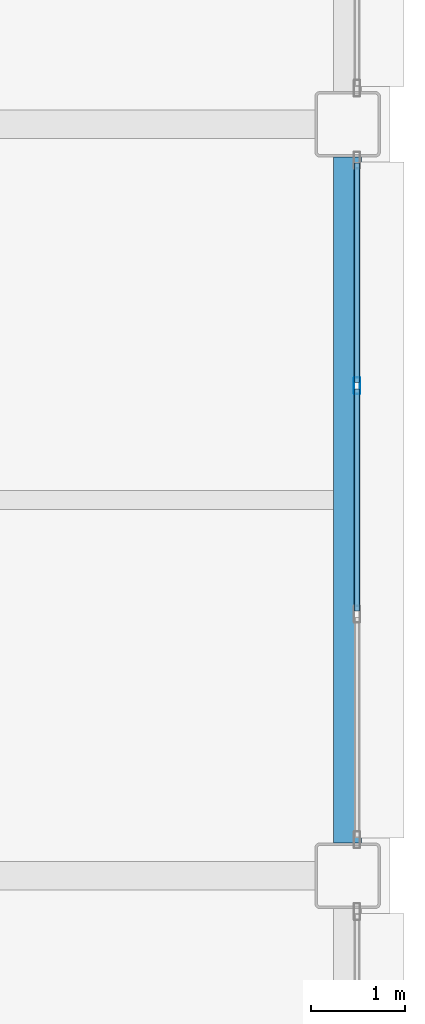
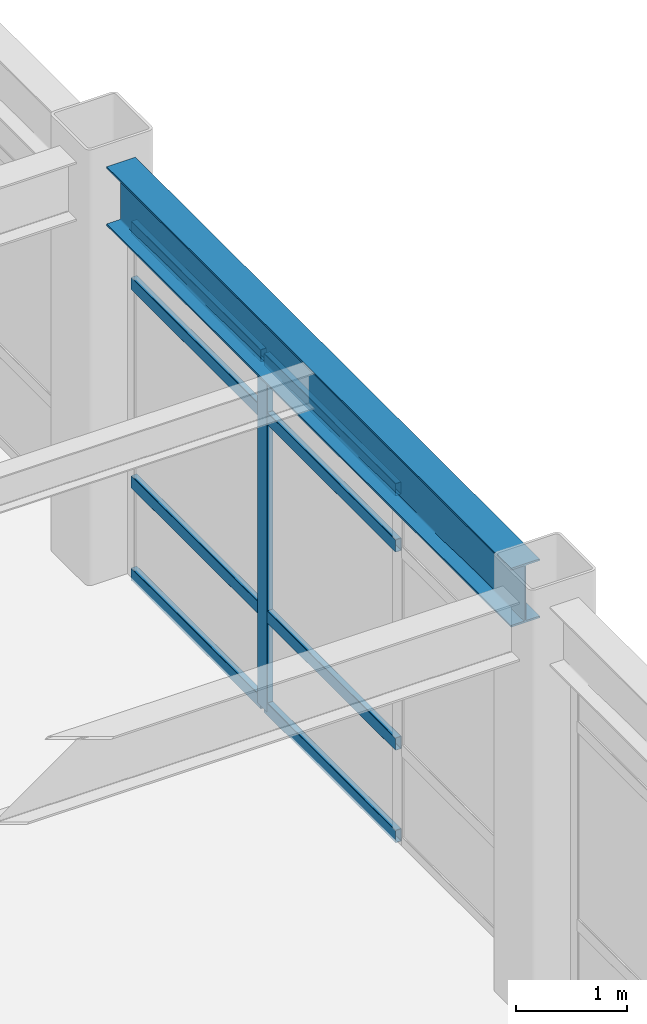
# One storey, part 106 of 154: 9 members, 1 beam, 1 element without a shape of its own.
"""IFC4 building model written with IfcOpenShell, lengths in metres."""

import ifcopenshell
import ifcopenshell.guid

model = None  # the IFC model being written
_history = None  # IfcOwnerHistory: only IFC2X3 demands one
_inside = {}  # id of a spatial element -> (the spatial element, [elements in it])
_under = {}  # id of a project, library or spatial element -> (it, [spatial elements below it])
_declared = {}  # id of a project -> (the project, [libraries it declares])
_typed = {}  # id of a type object -> (the type object, [elements of that type])
_made_of = {}  # id of a material, layer set ... -> (it, [elements and type objects made of it])


def new_model(schema):
    """Start an empty IFC model of exactly this schema.

    Asked for "IFC4X3", IfcOpenShell would pick the latest addendum, in which some entities
    have other attributes; the version numbers below select the first issue.
    IFC2X3 requires an IfcOwnerHistory on every rooted entity: one is made here for all.
    """
    global model, _history
    if schema == "IFC4X3":
        model = ifcopenshell.file(schema_version=(4, 3, 0, 0))
    else:
        model = ifcopenshell.file(schema=schema)
    _inside.clear()
    _under.clear()
    _declared.clear()
    _typed.clear()
    _made_of.clear()
    _history = None
    if model.schema == "IFC2X3":
        org = make("IfcOrganization", Name="unknown")
        user = make(
            "IfcPersonAndOrganization",
            ThePerson=make("IfcPerson", FamilyName="unknown"),
            TheOrganization=org,
        )
        app = make(
            "IfcApplication",
            ApplicationDeveloper=org,
            Version="unknown",
            ApplicationFullName="unknown",
            ApplicationIdentifier="unknown",
        )
        _history = make(
            "IfcOwnerHistory",
            OwningUser=user,
            OwningApplication=app,
            ChangeAction="ADDED",
            CreationDate=0,
        )
    return model


def make(cls, **values):
    """One entity of the class cls with the attributes given. An attribute that is None is left unset."""
    return model.create_entity(
        cls, **{name: value for name, value in values.items() if value is not None}
    )


def rooted(cls, **values):
    """An entity with a GlobalId (a new one), such as an element, a storey or a relation."""
    return make(cls, GlobalId=ifcopenshell.guid.new(), OwnerHistory=_history, **values)


def si_unit(unit_type, name, prefix=None):
    """IfcSIUnit, for example si_unit("LENGTHUNIT", "METRE", prefix="MILLI")."""
    return make("IfcSIUnit", UnitType=unit_type, Prefix=prefix, Name=name)


def assignment(units):
    """IfcUnitAssignment: the units of a project."""
    return None if units is None else make("IfcUnitAssignment", Units=units)


def point(xyz):
    """IfcCartesianPoint."""
    return None if xyz is None else make("IfcCartesianPoint", Coordinates=xyz)


def direction(xyz):
    """IfcDirection."""
    return None if xyz is None else make("IfcDirection", DirectionRatios=xyz)


def frame(location, z_axis=None, x_axis=None):
    """IfcAxis2Placement3D, a coordinate frame: its origin and axes. An axis left out is left unset."""
    return make(
        "IfcAxis2Placement3D",
        Location=point(location),
        Axis=direction(z_axis),
        RefDirection=direction(x_axis),
    )


def frame_2d(location, x_axis=None):
    """IfcAxis2Placement2D, a coordinate frame in the plane: its origin and x axis."""
    return make(
        "IfcAxis2Placement2D", Location=point(location), RefDirection=direction(x_axis)
    )


def origin():
    """The frame at (0, 0, 0) with its axes left unset."""
    return frame((0.0, 0.0, 0.0))


def origin_2d():
    """The frame at (0, 0) in the plane with its x axis left unset."""
    return frame_2d((0.0, 0.0))


def place(relative_to, where):
    """IfcLocalPlacement: puts the frame where relative to a parent placement (None: the world)."""
    return make(
        "IfcLocalPlacement", PlacementRelTo=relative_to, RelativePlacement=where
    )


def context(
    kind, dimensions, precision=None, world=None, true_north=None, identifier=None
):
    """IfcGeometricRepresentationContext, for example the 3D "Model" context."""
    return make(
        "IfcGeometricRepresentationContext",
        ContextIdentifier=identifier,
        ContextType=kind,
        CoordinateSpaceDimension=dimensions,
        Precision=precision,
        WorldCoordinateSystem=world,
        TrueNorth=true_north,
    )


def subcontext(parent, identifier, kind, view, scale=None):
    """IfcGeometricRepresentationSubContext, for example "Body" below "Model"."""
    return make(
        "IfcGeometricRepresentationSubContext",
        ContextIdentifier=identifier,
        ContextType=kind,
        ParentContext=parent,
        TargetScale=scale,
        TargetView=view,
    )


def project(units=None, contexts=None):
    """IfcProject with its units and contexts."""
    return rooted(
        "IfcProject",
        Name="project",
        RepresentationContexts=contexts,
        UnitsInContext=assignment(units),
    )


def spatial(cls, under=None, at=None, **own):
    """A site, building, storey or space (cls), placed at a placement, below another one or the project."""
    s = rooted(cls, ObjectPlacement=at, **own)
    if under is not None:
        _under.setdefault(under.id(), (under, []))[1].append(s)
    return s


def profile(cls, at=None, kind="AREA", **sizes):
    """A parametric profile (cls). Its sizes go by their IFC names, for example OverallWidth=200.0."""
    return make(cls, ProfileType=kind, Position=at, **sizes)


def hollow_rectangle(**sizes):
    """IfcRectangleHollowProfileDef."""
    return profile("IfcRectangleHollowProfileDef", **sizes)


def i_section(**sizes):
    """IfcIShapeProfileDef."""
    return profile("IfcIShapeProfileDef", **sizes)


def extrude(swept, where, along, depth):
    """IfcExtrudedAreaSolid: the profile swept, set in the frame where, extruded along a direction by depth."""
    return make(
        "IfcExtrudedAreaSolid",
        SweptArea=swept,
        Position=where,
        ExtrudedDirection=direction(along),
        Depth=depth,
    )


def shape(context_of_items, identifier, shape_type, items):
    """IfcShapeRepresentation: the items that make up one representation, for example the "Body"."""
    return make(
        "IfcShapeRepresentation",
        ContextOfItems=context_of_items,
        RepresentationIdentifier=identifier,
        RepresentationType=shape_type,
        Items=items,
    )


def material(Name=None, Category=None):
    """IfcMaterial."""
    return make("IfcMaterial", Name=Name, Category=Category)


def layer(
    of_material, thickness, ventilated=None, Name=None, Category=None, Priority=None
):
    """IfcMaterialLayer: one layer of a wall or slab, of a material (None: an air gap)."""
    return make(
        "IfcMaterialLayer",
        Material=of_material,
        LayerThickness=thickness,
        IsVentilated=ventilated,
        Name=Name,
        Category=Category,
        Priority=Priority,
    )


def layer_set(layers, Name=None):
    """IfcMaterialLayerSet."""
    return make("IfcMaterialLayerSet", MaterialLayers=layers, LayerSetName=Name)


def material_profile(
    of_material, cross_section, Name=None, Category=None, Priority=None
):
    """IfcMaterialProfile: a cross section and its material."""
    return make(
        "IfcMaterialProfile",
        Name=Name,
        Material=of_material,
        Profile=cross_section,
        Priority=Priority,
        Category=Category,
    )


def profile_set(profiles, Name=None, composite=None):
    """IfcMaterialProfileSet."""
    return make(
        "IfcMaterialProfileSet",
        Name=Name,
        MaterialProfiles=profiles,
        CompositeProfile=composite,
    )


def made_of(thing, what):
    """Note that an element or type object is made of a material, layer set ...; save() writes the relation."""
    if what is not None:
        _made_of.setdefault(what.id(), (what, []))[1].append(thing)
    return thing


def type_object(cls, material=None, **own):
    """A type object (cls), such as IfcWallType, which elements share."""
    return made_of(rooted(cls, **own), material)


def element(
    cls,
    number,
    at=None,
    inside=None,
    cuts=None,
    type_object=None,
    material=None,
    context=None,
    identifier="Body",
    shape_type=None,
    held_by="IfcProductDefinitionShape",
    body=None,
    shapes=None,
    **own,
):
    """One element of the class cls, such as IfcWall. Its Tag is "e" and its number.

    at: its placement. inside: the storey or other place that contains it. cuts: it is an
    opening in that element (IfcRelVoidsElement). A single representation is given by context,
    identifier, shape_type and body (its items); several are given by shapes. held_by: the class
    of the entity that holds the representations. save() writes the other relations.
    """
    e = rooted(cls, Tag="e%d" % number, ObjectPlacement=at, **own)
    if body is not None:
        shapes = [shape(context, identifier, shape_type, body)]
    if shapes is not None:
        e.Representation = make(held_by, Representations=shapes)
    if inside is not None:
        _inside.setdefault(inside.id(), (inside, []))[1].append(e)
    if cuts is not None:
        rooted(
            "IfcRelVoidsElement", RelatingBuildingElement=cuts, RelatedOpeningElement=e
        )
    if type_object is not None:
        _typed.setdefault(type_object.id(), (type_object, []))[1].append(e)
    return made_of(e, material)


def aggregate(whole, parts):
    """IfcRelAggregates: a whole, such as a stair, and the parts it consists of."""
    return rooted("IfcRelAggregates", RelatingObject=whole, RelatedObjects=parts)


def save(model, path):
    """Write the relations noted so far, then the file.

    IfcRelAggregates (storeys below a building ...), IfcRelContainedInSpatialStructure (elements
    in a storey), IfcRelDefinesByType, IfcRelAssociatesMaterial and IfcRelDeclares: one each for
    every whole, place, type object, material and project.
    """
    for whole, parts in _under.values():
        aggregate(whole, parts)
    for where, things in _inside.values():
        rooted(
            "IfcRelContainedInSpatialStructure",
            RelatedElements=things,
            RelatingStructure=where,
        )
    for kind, things in _typed.values():
        rooted("IfcRelDefinesByType", RelatedObjects=things, RelatingType=kind)
    for what, things in _made_of.values():
        rooted("IfcRelAssociatesMaterial", RelatedObjects=things, RelatingMaterial=what)
    for by, libraries in _declared.values():
        rooted("IfcRelDeclares", RelatingContext=by, RelatedDefinitions=libraries)
    model.write(path)


model = new_model("IFC4")

# Units and contexts
model_context = context("Model", 3, precision=1e-05, world=origin(), true_north=direction((0.0, 1.0)))
body_context = subcontext(model_context, "Body", "Model", "MODEL_VIEW")
ifc_project = project(units=[si_unit("LENGTHUNIT", "METRE"), si_unit("AREAUNIT", "SQUARE_METRE"), si_unit("VOLUMEUNIT", "CUBIC_METRE"), si_unit("PLANEANGLEUNIT", "RADIAN"), si_unit("MASSUNIT", "GRAM", prefix="KILO")], contexts=[model_context])

# Site, building, storey
site_placement = place(None, origin())
site = spatial("IfcSite", under=ifc_project, at=site_placement, CompositionType="ELEMENT")
building_placement = place(site_placement, origin())
building = spatial("IfcBuilding", under=site, at=building_placement, Name="Kazehara Bluff Congress Hotel", CompositionType="ELEMENT")
storey_placement = place(building_placement, frame((0.0, 0.0, 10.199951171875)))
storey = spatial("IfcBuildingStorey", under=building, at=storey_placement, Name="L02", CompositionType="ELEMENT", Elevation=10.199951171875)

# Curtain wall, members
ifc_material_1 = material(Name="Anodised aluminium", Category="aluminium")
ifc_layer = layer(ifc_material_1, 0.159912109375)
ifc_layer_set = layer_set([ifc_layer], Name="Anodised aluminium")
curtain_wall_type = type_object("IfcCurtainWallType", Name="TP-CW-80", PredefinedType="NOTDEFINED", material=ifc_layer_set)
curtain_wall_placement = place(storey_placement, origin())
curtain_wall = element("IfcCurtainWall", 1, at=curtain_wall_placement, inside=storey, type_object=curtain_wall_type, Name="L02 curtain wall CW-80 CW-ENC-V5-L02-16765-9290", PredefinedType="NOTDEFINED")
ifc_material_2 = material(Name="Anodised aluminium", Category="aluminium")
ifc_material_profile_1 = material_profile(ifc_material_2, hollow_rectangle(XDim=0.06494140625, YDim=0.179931640625, WallThickness=0.00390625, InnerFilletRadius=0.00390625, OuterFilletRadius=0.008056640625, at=origin_2d()))
ifc_profile_set_1 = profile_set([ifc_material_profile_1], Name="Anodised aluminium")
member_type_1 = type_object("IfcMemberType", Name="TP-CWM-02", PredefinedType="MULLION", material=ifc_profile_set_1)
member_1_placement = place(storey_placement, frame((167.64990234375, 94.11669921875, 0.0), z_axis=(0.0, 0.0, 1.0), x_axis=(1.0, 0.0, 0.0)))
member_1 = element("IfcMember", 2, at=member_1_placement, type_object=member_type_1, Name="CW-80 mullion 2", PredefinedType="MULLION", context=body_context, shape_type="SweptSolid", body=[
    extrude(hollow_rectangle(XDim=0.06494140625, YDim=0.179931640625, WallThickness=0.00390625, InnerFilletRadius=0.00390625, OuterFilletRadius=0.008056640625, at=origin_2d()), origin(), (0.0, 0.0, 1.0), 3.885009765625),
])
ifc_material_3 = material(Name="Anodised aluminium", Category="aluminium")
ifc_material_profile_2 = material_profile(ifc_material_3, hollow_rectangle(XDim=0.06494140625, YDim=0.139892578125, WallThickness=0.00390625, InnerFilletRadius=0.00390625, OuterFilletRadius=0.008056640625, at=origin_2d()))
ifc_profile_set_2 = profile_set([ifc_material_profile_2], Name="Anodised aluminium")
member_type_2 = type_object("IfcMemberType", Name="TP-CWT-02", PredefinedType="USERDEFINED", material=ifc_profile_set_2)
member_2_placement = place(storey_placement, frame((167.64990234375, 96.485107421875, 0.032470703125), z_axis=(0.0, -1.0, 0.0), x_axis=(1.0, 0.0, 0.0)))
member_2 = element("IfcMember", 3, at=member_2_placement, type_object=member_type_2, Name="CW-80 transom 1.1", ObjectType="TRANSOM", PredefinedType="USERDEFINED", context=body_context, shape_type="SweptSolid", body=[
    extrude(hollow_rectangle(XDim=0.06494140625, YDim=0.139892578125, WallThickness=0.00390625, InnerFilletRadius=0.00390625, OuterFilletRadius=0.008056640625, at=origin_2d()), origin(), (0.0, 0.0, 1.0), 2.3359375),
])
member_3_placement = place(storey_placement, frame((167.64990234375, 96.485107421875, 1.050048828125), z_axis=(0.0, -1.0, 0.0), x_axis=(1.0, 0.0, 0.0)))
member_3 = element("IfcMember", 4, at=member_3_placement, type_object=member_type_2, Name="CW-80 transom 1.2", ObjectType="TRANSOM", PredefinedType="USERDEFINED", context=body_context, shape_type="SweptSolid", body=[
    extrude(hollow_rectangle(XDim=0.06494140625, YDim=0.139892578125, WallThickness=0.00390625, InnerFilletRadius=0.00390625, OuterFilletRadius=0.008056640625, at=origin_2d()), origin(), (0.0, 0.0, 1.0), 2.3359375),
])
member_4_placement = place(storey_placement, frame((167.64990234375, 96.485107421875, 3.235107421875), z_axis=(0.0, -1.0, 0.0), x_axis=(1.0, 0.0, 0.0)))
member_4 = element("IfcMember", 5, at=member_4_placement, type_object=member_type_2, Name="CW-80 transom 1.3", ObjectType="TRANSOM", PredefinedType="USERDEFINED", context=body_context, shape_type="SweptSolid", body=[
    extrude(hollow_rectangle(XDim=0.06494140625, YDim=0.139892578125, WallThickness=0.00390625, InnerFilletRadius=0.00390625, OuterFilletRadius=0.008056640625, at=origin_2d()), origin(), (0.0, 0.0, 1.0), 2.3359375),
])
member_5_placement = place(storey_placement, frame((167.64990234375, 96.485107421875, 3.8525390625), z_axis=(0.0, -1.0, 0.0), x_axis=(1.0, 0.0, 0.0)))
member_5 = element("IfcMember", 6, at=member_5_placement, type_object=member_type_2, Name="CW-80 transom 1.4", ObjectType="TRANSOM", PredefinedType="USERDEFINED", context=body_context, shape_type="SweptSolid", body=[
    extrude(hollow_rectangle(XDim=0.06494140625, YDim=0.139892578125, WallThickness=0.00390625, InnerFilletRadius=0.00390625, OuterFilletRadius=0.008056640625, at=origin_2d()), origin(), (0.0, 0.0, 1.0), 2.3359375),
])
member_6_placement = place(storey_placement, frame((167.64990234375, 94.084228515625, 0.032470703125), z_axis=(0.0, -1.0, 0.0), x_axis=(1.0, 0.0, 0.0)))
member_6 = element("IfcMember", 7, at=member_6_placement, type_object=member_type_2, Name="CW-80 transom 2.1", ObjectType="TRANSOM", PredefinedType="USERDEFINED", context=body_context, shape_type="SweptSolid", body=[
    extrude(hollow_rectangle(XDim=0.06494140625, YDim=0.139892578125, WallThickness=0.00390625, InnerFilletRadius=0.00390625, OuterFilletRadius=0.008056640625, at=origin_2d()), origin(), (0.0, 0.0, 1.0), 2.368408203125),
])
member_7_placement = place(storey_placement, frame((167.64990234375, 94.084228515625, 1.050048828125), z_axis=(0.0, -1.0, 0.0), x_axis=(1.0, 0.0, 0.0)))
member_7 = element("IfcMember", 8, at=member_7_placement, type_object=member_type_2, Name="CW-80 transom 2.2", ObjectType="TRANSOM", PredefinedType="USERDEFINED", context=body_context, shape_type="SweptSolid", body=[
    extrude(hollow_rectangle(XDim=0.06494140625, YDim=0.139892578125, WallThickness=0.00390625, InnerFilletRadius=0.00390625, OuterFilletRadius=0.008056640625, at=origin_2d()), origin(), (0.0, 0.0, 1.0), 2.368408203125),
])
member_8_placement = place(storey_placement, frame((167.64990234375, 94.084228515625, 3.235107421875), z_axis=(0.0, -1.0, 0.0), x_axis=(1.0, 0.0, 0.0)))
member_8 = element("IfcMember", 9, at=member_8_placement, type_object=member_type_2, Name="CW-80 transom 2.3", ObjectType="TRANSOM", PredefinedType="USERDEFINED", context=body_context, shape_type="SweptSolid", body=[
    extrude(hollow_rectangle(XDim=0.06494140625, YDim=0.139892578125, WallThickness=0.00390625, InnerFilletRadius=0.00390625, OuterFilletRadius=0.008056640625, at=origin_2d()), origin(), (0.0, 0.0, 1.0), 2.368408203125),
])
member_9_placement = place(storey_placement, frame((167.64990234375, 94.084228515625, 3.8525390625), z_axis=(0.0, -1.0, 0.0), x_axis=(1.0, 0.0, 0.0)))
member_9 = element("IfcMember", 10, at=member_9_placement, type_object=member_type_2, Name="CW-80 transom 2.4", ObjectType="TRANSOM", PredefinedType="USERDEFINED", context=body_context, shape_type="SweptSolid", body=[
    extrude(hollow_rectangle(XDim=0.06494140625, YDim=0.139892578125, WallThickness=0.00390625, InnerFilletRadius=0.00390625, OuterFilletRadius=0.008056640625, at=origin_2d()), origin(), (0.0, 0.0, 1.0), 2.368408203125),
])
aggregate(curtain_wall, [member_1, member_2, member_3, member_4, member_5, member_6, member_7, member_8, member_9])

# Beam
ifc_material_4 = material(Name="Steel SN490B", Category="steel")
ifc_material_profile_3 = material_profile(ifc_material_4, i_section(OverallWidth=0.300048828125, OverallDepth=0.64990234375, WebThickness=0.011962890625, FlangeThickness=0.02001953125, FilletRadius=0.012939453125, at=origin_2d()))
ifc_profile_set_3 = profile_set([ifc_material_profile_3], Name="Steel SN490B")
beam_type = type_object("IfcBeamType", Name="TP-G-03", PredefinedType="BEAM", material=ifc_profile_set_3)
beam_placement = place(storey_placement, frame((167.550048828125, 89.25, 4.235107421875), z_axis=(0.0, 1.0, 0.0), x_axis=(-1.0, 0.0, 0.0)))
element("IfcBeam", 11, at=beam_placement, inside=storey, type_object=beam_type, Name="L02 girder G-03 177", PredefinedType="BEAM", context=body_context, shape_type="SweptSolid", body=[
    extrude(i_section(OverallWidth=0.300048828125, OverallDepth=0.64990234375, WebThickness=0.011962890625, FlangeThickness=0.02001953125, FilletRadius=0.012939453125, at=origin_2d()), origin(), (0.0, 0.0, 1.0), 7.300048828125),
])

save(model, "model.ifc")
